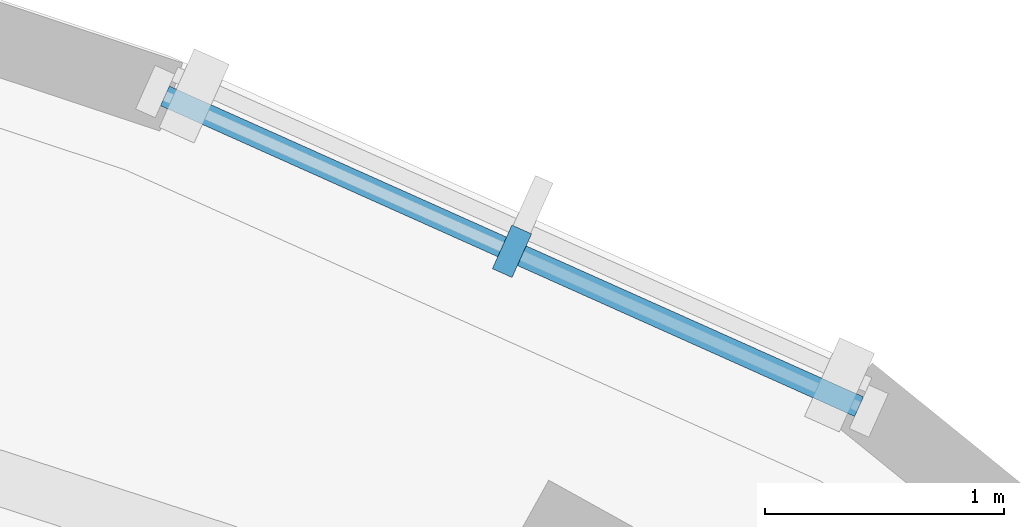
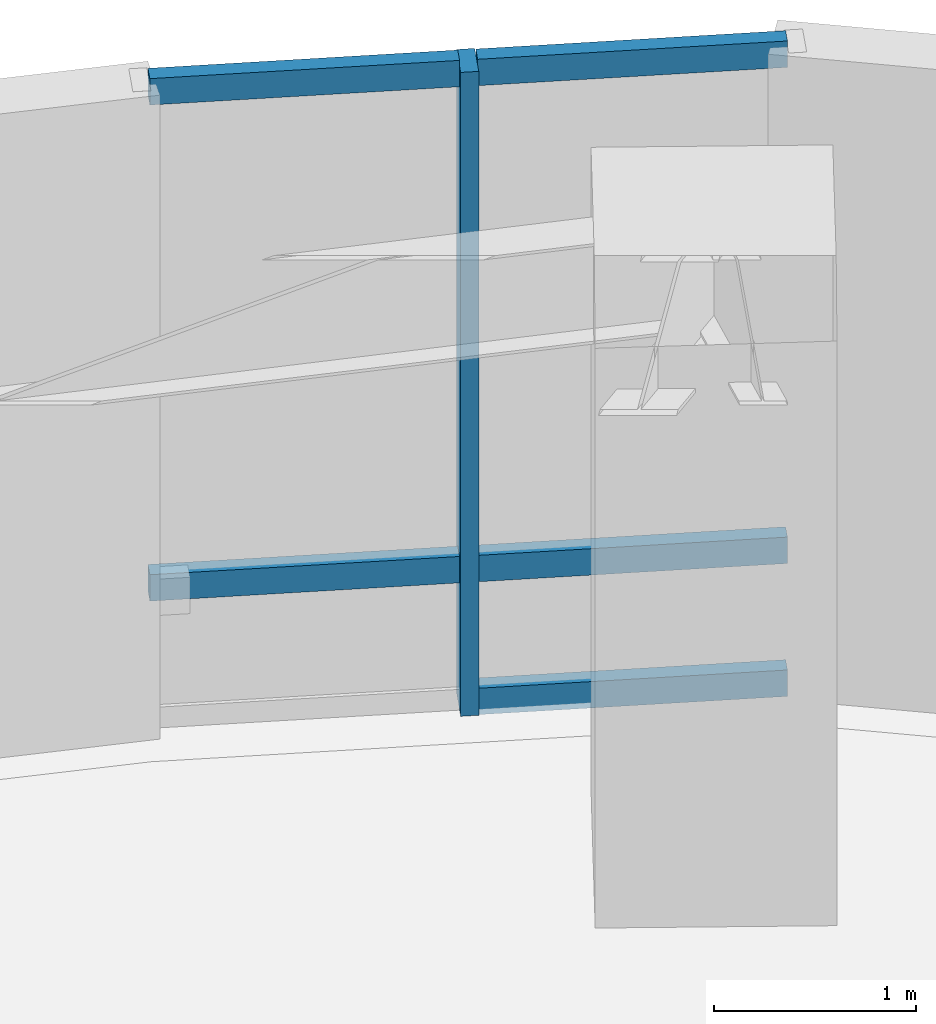
# One storey, part 6 of 15: 6 members, 1 element without a shape of its own.
"""IFC4 building model written with IfcOpenShell, lengths in metres."""

from ifc_helpers import new_model, si_unit, direction, frame, origin, origin_2d, place, context, subcontext, project, spatial, rectangle, extrude, material, layer, layer_set, material_profile, profile_set, type_object, element, aggregate, save


model = new_model("IFC4")

# Units and contexts
model_context = context("Model", 3, precision=1e-05, world=origin(), true_north=direction((0.0, 1.0)))
body_context = subcontext(model_context, "Body", "Model", "MODEL_VIEW")
ifc_project = project(units=[si_unit("LENGTHUNIT", "METRE"), si_unit("AREAUNIT", "SQUARE_METRE"), si_unit("VOLUMEUNIT", "CUBIC_METRE"), si_unit("PLANEANGLEUNIT", "RADIAN"), si_unit("MASSUNIT", "GRAM", prefix="KILO")], contexts=[model_context])

# Site, building, storey
site_placement = place(None, origin())
site = spatial("IfcSite", under=ifc_project, at=site_placement, CompositionType="ELEMENT")
building_placement = place(site_placement, origin())
building = spatial("IfcBuilding", under=site, at=building_placement, Name="Korentha Bioscience Tower", CompositionType="ELEMENT")
storey_placement = place(building_placement, frame((0.0, 0.0, 115.199951171875)))
storey = spatial("IfcBuildingStorey", under=building, at=storey_placement, Name="L26", CompositionType="ELEMENT", Elevation=115.199951171875)

# Curtain wall, members
ifc_material_1 = material(Name="Thermally Broken Aluminium Frame", Category="aluminium")
ifc_layer = layer(ifc_material_1, 0.219970703125, Name="Thermally Broken Aluminium Frame")
ifc_layer_set = layer_set([ifc_layer], Name="Thermally Broken Aluminium Frame (CW-T2)")
curtain_wall_type = type_object("IfcCurtainWallType", Name="Solar-Screened Lab Unitised Curtain Wall CW-T2", PredefinedType="USERDEFINED", material=ifc_layer_set)
curtain_wall_placement = place(storey_placement, origin())
curtain_wall = element("IfcCurtainWall", 1, at=curtain_wall_placement, inside=storey, type_object=curtain_wall_type, Name="L26 Curtain Wall 01", ObjectType="UNITISED", PredefinedType="USERDEFINED")
ifc_material_2 = material(Name="Anodised Aluminium 6063-T6", Category="aluminium")
ifc_material_profile_1 = material_profile(ifc_material_2, rectangle(XDim=0.090087890625, YDim=0.199951171875, at=origin_2d()), Name="Anodised Aluminium 6063-T6")
ifc_profile_set_1 = profile_set([ifc_material_profile_1], Name="Anodised Aluminium 6063-T6 (CW-MUL)")
member_type_1 = type_object("IfcMemberType", Name="Mullion RECT 90x200", PredefinedType="MULLION", material=ifc_profile_set_1)
member_1_placement = place(storey_placement, frame((48.871337890625, 45.72021484375, 0.0), z_axis=(0.0, 0.0, 1.0), x_axis=(-0.912686563127, 0.408660295952, 0.0)))
member_1 = element("IfcMember", 2, at=member_1_placement, type_object=member_type_1, Name="CW-L26-01 Mullion 2", PredefinedType="MULLION", context=body_context, shape_type="SweptSolid", body=[
    extrude(rectangle(XDim=0.090087890625, YDim=0.199951171875, at=origin_2d()), origin(), (0.0, 0.0, 1.0), 3.900146484375),
])
ifc_material_profile_2 = material_profile(ifc_material_2, rectangle(XDim=0.090087890625, YDim=0.159912109375, at=origin_2d()), Name="Anodised Aluminium 6063-T6")
ifc_profile_set_2 = profile_set([ifc_material_profile_2], Name="Anodised Aluminium 6063-T6 (CW-TRN)")
member_type_2 = type_object("IfcMemberType", Name="Transom RECT 90x160", PredefinedType="USERDEFINED", material=ifc_profile_set_2)
member_2_placement = place(storey_placement, frame((50.322998046875, 45.0703125, 0.045166015625), z_axis=(-0.912753156119, 0.408511537162, 0.0), x_axis=(-0.408511537162, -0.912753156119, 0.0)))
member_2 = element("IfcMember", 3, at=member_2_placement, type_object=member_type_2, Name="CW-L26-01 Bay 1 Transom 1", ObjectType="TRANSOM", PredefinedType="USERDEFINED", context=body_context, shape_type="SweptSolid", body=[
    extrude(rectangle(XDim=0.090087890625, YDim=0.159912109375, at=origin_2d()), origin(), (0.0, 0.0, 1.0), 1.54541015625),
])
member_3_placement = place(storey_placement, frame((50.322998046875, 45.0703125, 0.85009765625), z_axis=(-0.912753156119, 0.408511537162, 0.0), x_axis=(-0.408511537162, -0.912753156119, 0.0)))
member_3 = element("IfcMember", 4, at=member_3_placement, type_object=member_type_2, Name="CW-L26-01 Bay 1 Transom 2", ObjectType="TRANSOM", PredefinedType="USERDEFINED", context=body_context, shape_type="SweptSolid", body=[
    extrude(rectangle(XDim=0.090087890625, YDim=0.159912109375, at=origin_2d()), origin(), (0.0, 0.0, 1.0), 1.54541015625),
])
member_4_placement = place(storey_placement, frame((50.322998046875, 45.0703125, 3.85498046875), z_axis=(-0.912753156119, 0.408511537162, 0.0), x_axis=(-0.408511537162, -0.912753156119, 0.0)))
member_4 = element("IfcMember", 5, at=member_4_placement, type_object=member_type_2, Name="CW-L26-01 Bay 1 Transom 3", ObjectType="TRANSOM", PredefinedType="USERDEFINED", context=body_context, shape_type="SweptSolid", body=[
    extrude(rectangle(XDim=0.090087890625, YDim=0.159912109375, at=origin_2d()), origin(), (0.0, 0.0, 1.0), 1.54541015625),
])
member_5_placement = place(storey_placement, frame((48.830322265625, 45.738525390625, 0.85009765625), z_axis=(-0.912667864607, 0.408702053962, 0.0), x_axis=(-0.408702053962, -0.912667864607, 0.0)))
member_5 = element("IfcMember", 6, at=member_5_placement, type_object=member_type_2, Name="CW-L26-01 Bay 2 Transom 2", ObjectType="TRANSOM", PredefinedType="USERDEFINED", context=body_context, shape_type="SweptSolid", body=[
    extrude(rectangle(XDim=0.090087890625, YDim=0.159912109375, at=origin_2d()), origin(), (0.0, 0.0, 1.0), 1.54541015625),
])
member_6_placement = place(storey_placement, frame((48.830322265625, 45.738525390625, 3.85498046875), z_axis=(-0.912667864607, 0.408702053962, 0.0), x_axis=(-0.408702053962, -0.912667864607, 0.0)))
member_6 = element("IfcMember", 7, at=member_6_placement, type_object=member_type_2, Name="CW-L26-01 Bay 2 Transom 3", ObjectType="TRANSOM", PredefinedType="USERDEFINED", context=body_context, shape_type="SweptSolid", body=[
    extrude(rectangle(XDim=0.090087890625, YDim=0.159912109375, at=origin_2d()), origin(), (0.0, 0.0, 1.0), 1.54541015625),
])
aggregate(curtain_wall, [member_1, member_2, member_3, member_4, member_5, member_6])

save(model, "model.ifc")
